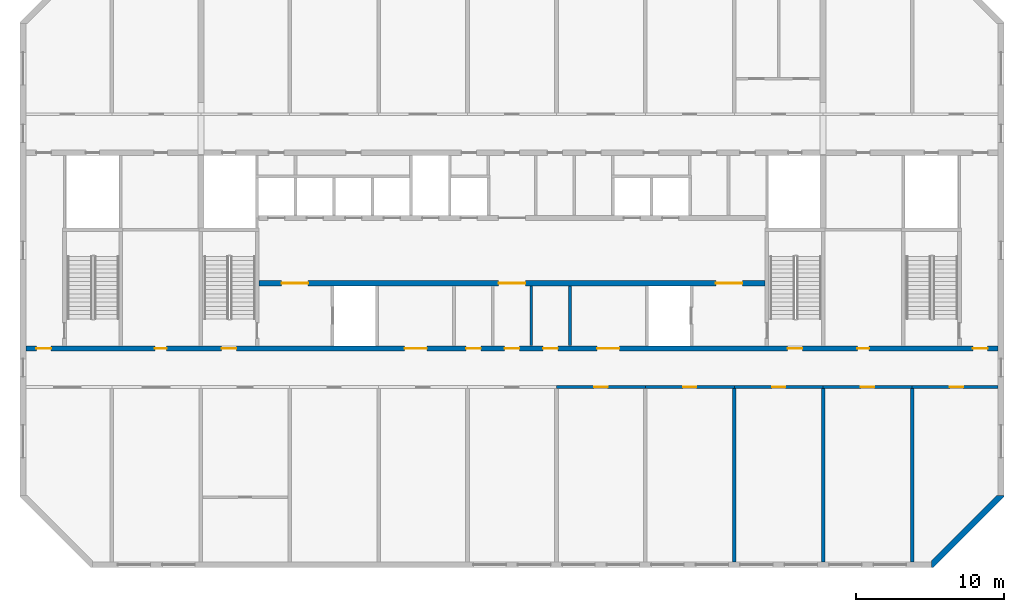
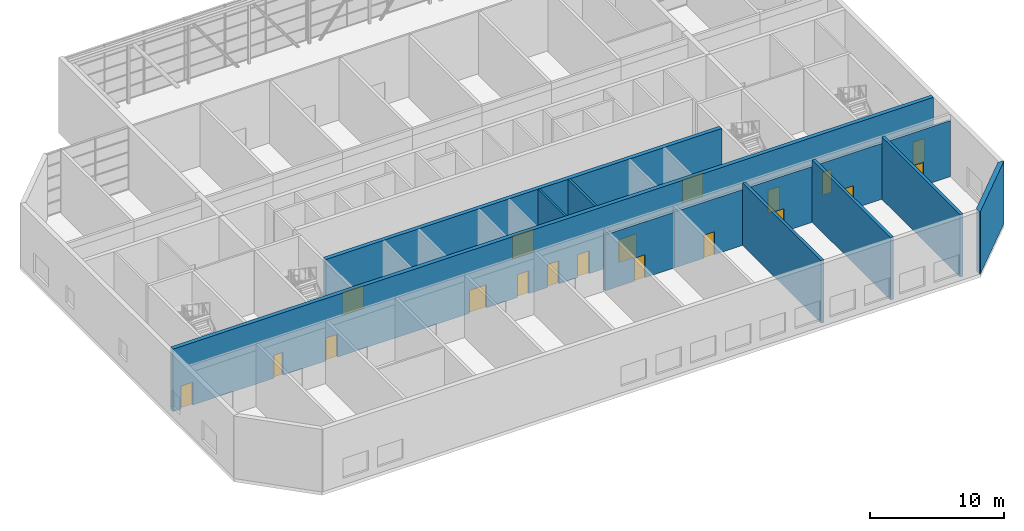
# One storey, part 12 of 17: 19 doors, 13 walls, 19 openings.
"""IFC4 building model written with IfcOpenShell, lengths in metres."""

from ifc_helpers import new_model, si_unit, direction, frame, frame_2d, origin, place, context, subcontext, project, spatial, polyline, rectangle, outline, extrude, material, layer, layer_set, type_object, element, fill, save


model = new_model("IFC4")

# Units and contexts
model_context = context("Model", 3, precision=1e-05, world=origin(), true_north=direction((0.0, 1.0)))
body_context = subcontext(model_context, "Body", "Model", "MODEL_VIEW")
ifc_project = project(units=[si_unit("LENGTHUNIT", "METRE"), si_unit("AREAUNIT", "SQUARE_METRE"), si_unit("VOLUMEUNIT", "CUBIC_METRE"), si_unit("PLANEANGLEUNIT", "RADIAN"), si_unit("MASSUNIT", "GRAM", prefix="KILO")], contexts=[model_context])

# Site, building, storey
site_placement = place(None, origin())
site = spatial("IfcSite", under=ifc_project, at=site_placement, CompositionType="ELEMENT")
building_placement = place(site_placement, origin())
building = spatial("IfcBuilding", under=site, at=building_placement, Name="Poui Terraces", CompositionType="ELEMENT")
storey_placement = place(building_placement, frame((0.0, 0.0, 261.0)))
storey = spatial("IfcBuildingStorey", under=building, at=storey_placement, Name="L73", CompositionType="ELEMENT", Elevation=261.0)

# Wall, openings, doors
ifc_material_1 = material(Name="Concrete 50 MPa", Category="concrete")
ifc_layer_1 = layer(ifc_material_1, 0.35009765625)
ifc_layer_set_1 = layer_set([ifc_layer_1], Name="Concrete 50 MPa")
wall_type_1 = type_object("IfcWallType", Name="CORE WALL 350 50 MPA", PredefinedType="SOLIDWALL", material=ifc_layer_set_1)
wall_1_placement = place(storey_placement, frame((33.925048828125, 19.0, 0.0), z_axis=(0.0, 0.0, 1.0), x_axis=(1.0, 0.0, 0.0)))
wall_1 = element("IfcWall", 1, at=wall_1_placement, inside=storey, type_object=wall_type_1, Name="CORE WALL", PredefinedType="SOLIDWALL", context=body_context, shape_type="SweptSolid", body=[
    extrude(rectangle(XDim=34.14990234375, YDim=0.35009765625, at=frame_2d((17.074951171875, 0.0))), origin(), (0.0, 0.0, 1.0), 5.699951171875),
])
opening_1_placement = place(wall_1_placement, frame((16.175048828125, 0.0, 0.0)))
opening_1 = element("IfcOpeningElement", 2, at=opening_1_placement, cuts=wall_1, Name="Opening FDD60", PredefinedType="OPENING", context=body_context, shape_type="SweptSolid", body=[
    extrude(rectangle(XDim=1.800048828125, YDim=2.10009765625, at=frame_2d((0.89990234375, 1.050048828125))), frame((0.0, 0.18505859375, 0.0), z_axis=(0.0, -1.0, 0.0), x_axis=(1.0, 0.0, 0.0)), (0.0, 0.0, 1.0), 0.3701171875),
])
opening_2_placement = place(wall_1_placement, frame((1.52490234375, 0.0, 0.0)))
opening_2 = element("IfcOpeningElement", 3, at=opening_2_placement, cuts=wall_1, Name="Opening FDD60", PredefinedType="OPENING", context=body_context, shape_type="SweptSolid", body=[
    extrude(rectangle(XDim=1.800048828125, YDim=2.10009765625, at=frame_2d((0.89990234375, 1.050048828125))), frame((0.0, 0.18505859375, 0.0), z_axis=(0.0, -1.0, 0.0), x_axis=(1.0, 0.0, 0.0)), (0.0, 0.0, 1.0), 0.3701171875),
])
opening_3_placement = place(wall_1_placement, frame((30.824951171875, 0.0, 0.0)))
opening_3 = element("IfcOpeningElement", 4, at=opening_3_placement, cuts=wall_1, Name="Opening FDD60", PredefinedType="OPENING", context=body_context, shape_type="SweptSolid", body=[
    extrude(rectangle(XDim=1.800048828125, YDim=2.10009765625, at=frame_2d((0.89990234375, 1.050048828125))), frame((0.0, 0.18505859375, 0.0), z_axis=(0.0, -1.0, 0.0), x_axis=(1.0, 0.0, 0.0)), (0.0, 0.0, 1.0), 0.3701171875),
])
ifc_material_2 = material(Name="Steel fire door", Category="steel")
door_type_1 = type_object("IfcDoorType", Name="DOUBLE LOBBY FIRE DOOR 1800 X 2100", OperationType="DOUBLE_DOOR_SINGLE_SWING", PredefinedType="DOOR", material=ifc_material_2)
door_1_placement = place(opening_1_placement, frame((1.800048828125, 0.0, 0.0), z_axis=(0.0, 0.0, 1.0), x_axis=(-1.0, 0.0, 0.0)))
door_1 = element("IfcDoor", 5, at=door_1_placement, inside=storey, type_object=door_type_1, Name="DOUBLE LOBBY FIRE DOOR 062", OperationType="DOUBLE_DOOR_SINGLE_SWING", OverallHeight=2.10009765625, OverallWidth=1.800048828125, PredefinedType="DOOR", context=body_context, shape_type="SweptSolid", body=[
    extrude(rectangle(XDim=1.800048828125, YDim=2.10009765625, at=frame_2d((0.89990234375, 1.050048828125))), frame((0.0, 0.02490234375, 0.0), z_axis=(0.0, -1.0, 0.0), x_axis=(1.0, 0.0, 0.0)), (0.0, 0.0, 1.0), 0.050048828125),
])
fill(opening_1, door_1)
door_2_placement = place(opening_2_placement, origin())
door_2 = element("IfcDoor", 6, at=door_2_placement, inside=storey, type_object=door_type_1, Name="DOUBLE LOBBY FIRE DOOR 064", OperationType="DOUBLE_DOOR_SINGLE_SWING", OverallHeight=2.10009765625, OverallWidth=1.800048828125, PredefinedType="DOOR", context=body_context, shape_type="SweptSolid", body=[
    extrude(rectangle(XDim=1.800048828125, YDim=2.10009765625, at=frame_2d((0.89990234375, 1.050048828125))), frame((0.0, 0.02490234375, 0.0), z_axis=(0.0, -1.0, 0.0), x_axis=(1.0, 0.0, 0.0)), (0.0, 0.0, 1.0), 0.050048828125),
])
fill(opening_2, door_2)
door_3_placement = place(opening_3_placement, origin())
door_3 = element("IfcDoor", 7, at=door_3_placement, inside=storey, type_object=door_type_1, Name="DOUBLE LOBBY FIRE DOOR 072", OperationType="DOUBLE_DOOR_SINGLE_SWING", OverallHeight=2.10009765625, OverallWidth=1.800048828125, PredefinedType="DOOR", context=body_context, shape_type="SweptSolid", body=[
    extrude(rectangle(XDim=1.800048828125, YDim=2.10009765625, at=frame_2d((0.89990234375, 1.050048828125))), frame((0.0, 0.02490234375, 0.0), z_axis=(0.0, -1.0, 0.0), x_axis=(1.0, 0.0, 0.0)), (0.0, 0.0, 1.0), 0.050048828125),
])
fill(opening_3, door_3)

# Wall
ifc_material_3 = material(Name="Fire-rated plasterboard wall")
ifc_layer_2 = layer(ifc_material_3, 0.14990234375)
ifc_layer_set_2 = layer_set([ifc_layer_2], Name="Fire-rated plasterboard wall")
wall_type_2 = type_object("IfcWallType", Name="CORRIDOR WALL 150", PredefinedType="PARTITIONING", material=ifc_layer_set_2)
wall_2_placement = place(storey_placement, frame((52.300048828125, 14.784912109375, 0.0), z_axis=(0.0, 0.0, 1.0), x_axis=(0.0, 1.0, 0.0)))
element("IfcWall", 8, at=wall_2_placement, inside=storey, type_object=wall_type_2, Name="CORRIDOR WALL 150", PredefinedType="PARTITIONING", context=body_context, shape_type="SweptSolid", body=[
    extrude(rectangle(XDim=4.030029296875, YDim=0.14990234375, at=frame_2d((2.01513671875, 0.0))), origin(), (0.0, 0.0, 1.0), 5.699951171875),
])

# Wall, opening, door
ifc_layer_3 = layer(ifc_material_1, 0.199951171875)
ifc_layer_set_3 = layer_set([ifc_layer_3], Name="Concrete 50 MPa")
wall_type_3 = type_object("IfcWallType", Name="CORRIDOR WALL 200 50MPa", PredefinedType="SHEAR", material=ifc_layer_set_3)
wall_3_placement = place(storey_placement, frame((54.0, 12.0, 0.0), z_axis=(0.0, 0.0, 1.0), x_axis=(1.0, 0.0, 0.0)))
wall_3 = element("IfcWall", 9, at=wall_3_placement, inside=storey, type_object=wall_type_3, Name="CORRIDOR WALL LINE B BAY 7", PredefinedType="SHEAR", context=body_context, shape_type="SweptSolid", body=[
    extrude(rectangle(XDim=6.0, YDim=0.199951171875, at=frame_2d((3.0, 0.0))), origin(), (0.0, 0.0, 1.0), 5.10009765625),
])
opening_4_placement = place(wall_3_placement, frame((2.550048828125, 0.0, 0.0)))
opening_4 = element("IfcOpeningElement", 10, at=opening_4_placement, cuts=wall_3, Name="Opening D90", PredefinedType="OPENING", context=body_context, shape_type="SweptSolid", body=[
    extrude(rectangle(XDim=0.89990234375, YDim=2.10009765625, at=frame_2d((0.449951171875, 1.050048828125))), frame((0.0, 0.10986328125, 0.0), z_axis=(0.0, -1.0, 0.0), x_axis=(1.0, 0.0, 0.0)), (0.0, 0.0, 1.0), 0.219970703125),
])
ifc_material_4 = material(Name="Solid core timber door", Category="wood")
door_type_2 = type_object("IfcDoorType", Name="INTERNAL DOOR 900 X 2100", OperationType="NOTDEFINED", PredefinedType="DOOR", material=ifc_material_4)
door_4_placement = place(opening_4_placement, origin())
door_4 = element("IfcDoor", 11, at=door_4_placement, inside=storey, type_object=door_type_2, Name="INTERNAL DOOR 042", OperationType="SINGLE_SWING_RIGHT", OverallHeight=2.10009765625, OverallWidth=0.89990234375, PredefinedType="DOOR", context=body_context, shape_type="SweptSolid", body=[
    extrude(rectangle(XDim=0.89990234375, YDim=2.10009765625, at=frame_2d((0.449951171875, 1.050048828125))), frame((0.0, 0.02490234375, 0.0), z_axis=(0.0, -1.0, 0.0), x_axis=(1.0, 0.0, 0.0)), (0.0, 0.0, 1.0), 0.050048828125),
])
fill(opening_4, door_4)

wall_4_placement = place(storey_placement, frame((60.0, 12.0, 0.0), z_axis=(0.0, 0.0, 1.0), x_axis=(1.0, 0.0, 0.0)))
wall_4 = element("IfcWall", 12, at=wall_4_placement, inside=storey, type_object=wall_type_3, Name="CORRIDOR WALL LINE B BAY 8", PredefinedType="SHEAR", context=body_context, shape_type="SweptSolid", body=[
    extrude(rectangle(XDim=6.0, YDim=0.199951171875, at=frame_2d((3.0, 0.0))), origin(), (0.0, 0.0, 1.0), 5.10009765625),
])
opening_5_placement = place(wall_4_placement, frame((2.550048828125, 0.0, 0.0)))
opening_5 = element("IfcOpeningElement", 13, at=opening_5_placement, cuts=wall_4, Name="Opening D90", PredefinedType="OPENING", context=body_context, shape_type="SweptSolid", body=[
    extrude(rectangle(XDim=0.89990234375, YDim=2.10009765625, at=frame_2d((0.449951171875, 1.050048828125))), frame((0.0, 0.10986328125, 0.0), z_axis=(0.0, -1.0, 0.0), x_axis=(1.0, 0.0, 0.0)), (0.0, 0.0, 1.0), 0.219970703125),
])
door_5_placement = place(opening_5_placement, origin())
door_5 = element("IfcDoor", 14, at=door_5_placement, inside=storey, type_object=door_type_2, Name="INTERNAL DOOR 044", OperationType="SINGLE_SWING_LEFT", OverallHeight=2.10009765625, OverallWidth=0.89990234375, PredefinedType="DOOR", context=body_context, shape_type="SweptSolid", body=[
    extrude(rectangle(XDim=0.89990234375, YDim=2.10009765625, at=frame_2d((0.449951171875, 1.050048828125))), frame((0.0, 0.02490234375, 0.0), z_axis=(0.0, -1.0, 0.0), x_axis=(1.0, 0.0, 0.0)), (0.0, 0.0, 1.0), 0.050048828125),
])
fill(opening_5, door_5)

wall_5_placement = place(storey_placement, frame((66.0, 12.0, 0.0), z_axis=(0.0, 0.0, 1.0), x_axis=(1.0, 0.0, 0.0)))
wall_5 = element("IfcWall", 15, at=wall_5_placement, inside=storey, type_object=wall_type_3, Name="CORRIDOR WALL LINE B BAY 9", PredefinedType="SHEAR", context=body_context, shape_type="SweptSolid", body=[
    extrude(rectangle(XDim=6.0, YDim=0.199951171875, at=frame_2d((3.0, 0.0))), origin(), (0.0, 0.0, 1.0), 5.10009765625),
])
opening_6_placement = place(wall_5_placement, frame((2.550048828125, 0.0, 0.0)))
opening_6 = element("IfcOpeningElement", 16, at=opening_6_placement, cuts=wall_5, Name="Opening D90", PredefinedType="OPENING", context=body_context, shape_type="SweptSolid", body=[
    extrude(rectangle(XDim=0.89990234375, YDim=2.10009765625, at=frame_2d((0.449951171875, 1.050048828125))), frame((0.0, 0.10986328125, 0.0), z_axis=(0.0, -1.0, 0.0), x_axis=(1.0, 0.0, 0.0)), (0.0, 0.0, 1.0), 0.219970703125),
])
door_6_placement = place(opening_6_placement, origin())
door_6 = element("IfcDoor", 17, at=door_6_placement, inside=storey, type_object=door_type_2, Name="INTERNAL DOOR 045", OperationType="SINGLE_SWING_RIGHT", OverallHeight=2.10009765625, OverallWidth=0.89990234375, PredefinedType="DOOR", context=body_context, shape_type="SweptSolid", body=[
    extrude(rectangle(XDim=0.89990234375, YDim=2.10009765625, at=frame_2d((0.449951171875, 1.050048828125))), frame((0.0, 0.02490234375, 0.0), z_axis=(0.0, -1.0, 0.0), x_axis=(1.0, 0.0, 0.0)), (0.0, 0.0, 1.0), 0.050048828125),
])
fill(opening_6, door_6)

wall_6_placement = place(storey_placement, frame((72.0, 12.0, 0.0), z_axis=(0.0, 0.0, 1.0), x_axis=(1.0, 0.0, 0.0)))
wall_6 = element("IfcWall", 18, at=wall_6_placement, inside=storey, type_object=wall_type_3, Name="CORRIDOR WALL LINE B BAY 10", PredefinedType="SHEAR", context=body_context, shape_type="SweptSolid", body=[
    extrude(rectangle(XDim=6.0, YDim=0.199951171875, at=frame_2d((3.0, 0.0))), origin(), (0.0, 0.0, 1.0), 5.10009765625),
])
opening_7_placement = place(wall_6_placement, frame((2.550048828125, 0.0, 0.0)))
opening_7 = element("IfcOpeningElement", 19, at=opening_7_placement, cuts=wall_6, Name="Opening D90", PredefinedType="OPENING", context=body_context, shape_type="SweptSolid", body=[
    extrude(rectangle(XDim=0.89990234375, YDim=2.10009765625, at=frame_2d((0.449951171875, 1.050048828125))), frame((0.0, 0.10986328125, 0.0), z_axis=(0.0, -1.0, 0.0), x_axis=(1.0, 0.0, 0.0)), (0.0, 0.0, 1.0), 0.219970703125),
])
door_7_placement = place(opening_7_placement, origin())
door_7 = element("IfcDoor", 20, at=door_7_placement, inside=storey, type_object=door_type_2, Name="INTERNAL DOOR 048", OperationType="SINGLE_SWING_LEFT", OverallHeight=2.10009765625, OverallWidth=0.89990234375, PredefinedType="DOOR", context=body_context, shape_type="SweptSolid", body=[
    extrude(rectangle(XDim=0.89990234375, YDim=2.10009765625, at=frame_2d((0.449951171875, 1.050048828125))), frame((0.0, 0.02490234375, 0.0), z_axis=(0.0, -1.0, 0.0), x_axis=(1.0, 0.0, 0.0)), (0.0, 0.0, 1.0), 0.050048828125),
])
fill(opening_7, door_7)

wall_7_placement = place(storey_placement, frame((78.0, 12.0, 0.0), z_axis=(0.0, 0.0, 1.0), x_axis=(1.0, 0.0, 0.0)))
wall_7 = element("IfcWall", 21, at=wall_7_placement, inside=storey, type_object=wall_type_3, Name="CORRIDOR WALL LINE B BAY 11", PredefinedType="SHEAR", context=body_context, shape_type="SweptSolid", body=[
    extrude(rectangle(XDim=5.800048828125, YDim=0.199951171875, at=frame_2d((2.89990234375, 0.0))), origin(), (0.0, 0.0, 1.0), 5.10009765625),
])
opening_8_placement = place(wall_7_placement, frame((2.550048828125, 0.0, 0.0)))
opening_8 = element("IfcOpeningElement", 22, at=opening_8_placement, cuts=wall_7, Name="Opening D90", PredefinedType="OPENING", context=body_context, shape_type="SweptSolid", body=[
    extrude(rectangle(XDim=0.89990234375, YDim=2.10009765625, at=frame_2d((0.449951171875, 1.050048828125))), frame((0.0, 0.10986328125, 0.0), z_axis=(0.0, -1.0, 0.0), x_axis=(1.0, 0.0, 0.0)), (0.0, 0.0, 1.0), 0.219970703125),
])
door_8_placement = place(opening_8_placement, origin())
door_8 = element("IfcDoor", 23, at=door_8_placement, inside=storey, type_object=door_type_2, Name="INTERNAL DOOR 049", OperationType="SINGLE_SWING_RIGHT", OverallHeight=2.10009765625, OverallWidth=0.89990234375, PredefinedType="DOOR", context=body_context, shape_type="SweptSolid", body=[
    extrude(rectangle(XDim=0.89990234375, YDim=2.10009765625, at=frame_2d((0.449951171875, 1.050048828125))), frame((0.0, 0.02490234375, 0.0), z_axis=(0.0, -1.0, 0.0), x_axis=(1.0, 0.0, 0.0)), (0.0, 0.0, 1.0), 0.050048828125),
])
fill(opening_8, door_8)

# Walls
ifc_layer_4 = layer(ifc_material_1, 0.25)
ifc_layer_set_4 = layer_set([ifc_layer_4], Name="Concrete 50 MPa")
wall_type_4 = type_object("IfcWallType", Name="CROSS WALL 250 50MPa", PredefinedType="SHEAR", material=ifc_layer_set_4)
for number, where, z_axis, x_axis, name in (
    (24, (66.0, 0.199951171875, 0.0), (0.0, 0.0, 1.0), (0.0, 1.0, 0.0), "CROSS WALL LINE 12 SOUTH"),
    (25, (72.0, 0.199951171875, 0.0), (0.0, 0.0, 1.0), (0.0, 1.0, 0.0), "CROSS WALL LINE 13 SOUTH"),
    (26, (78.0, 0.199951171875, 0.0), (0.0, 0.0, 1.0), (0.0, 1.0, 0.0), "CROSS WALL LINE 14 SOUTH"),
):
    element("IfcWall", number, at=place(storey_placement, frame(where, z_axis=z_axis, x_axis=x_axis)), inside=storey, type_object=wall_type_4, Name=name, PredefinedType="SHEAR", context=body_context, shape_type="SweptSolid", body=[
        extrude(rectangle(XDim=11.699951171875, YDim=0.25, at=frame_2d((5.85009765625, 0.0))), origin(), (0.0, 0.0, 1.0), 5.699951171875),
    ])
ifc_material_5 = material(Name="Fire-rated masonry wall", Category="masonry")
ifc_layer_5 = layer(ifc_material_5, 0.199951171875)
ifc_layer_set_5 = layer_set([ifc_layer_5], Name="Fire-rated masonry wall")
wall_type_5 = type_object("IfcWallType", Name="PLANT ROOM WALL 200", PredefinedType="PARTITIONING", material=ifc_layer_set_5)
wall_8_placement = place(storey_placement, frame((54.89990234375, 14.784912109375, 0.0), z_axis=(0.0, 0.0, 1.0), x_axis=(0.0, 1.0, 0.0)))
element("IfcWall", 27, at=wall_8_placement, inside=storey, type_object=wall_type_5, Name="PLANT ROOM WALL 200", PredefinedType="PARTITIONING", context=body_context, shape_type="SweptSolid", body=[
    extrude(rectangle(XDim=4.030029296875, YDim=0.199951171875, at=frame_2d((2.01513671875, 0.0))), origin(), (0.0, 0.0, 1.0), 5.699951171875),
])

# Wall, openings, doors
ifc_layer_6 = layer(ifc_material_1, 0.35009765625)
ifc_layer_set_6 = layer_set([ifc_layer_6], Name="Concrete 50 MPa")
wall_type_6 = type_object("IfcWallType", Name="SPINE WALL 350 50 MPA", PredefinedType="SOLIDWALL", material=ifc_layer_set_6)
wall_9_placement = place(storey_placement, frame((18.199951171875, 14.60009765625, 0.0), z_axis=(0.0, 0.0, 1.0), x_axis=(1.0, 0.0, 0.0)))
wall_9 = element("IfcWall", 28, at=wall_9_placement, inside=storey, type_object=wall_type_6, Name="SPINE WALL", PredefinedType="SOLIDWALL", context=body_context, shape_type="SweptSolid", body=[
    extrude(rectangle(XDim=65.60009765625, YDim=0.35009765625, at=frame_2d((32.800048828125, 0.0))), origin(), (0.0, 0.0, 1.0), 5.699951171875),
])
opening_9_placement = place(wall_9_placement, frame((0.699951171875, 0.0, 0.0)))
opening_9 = element("IfcOpeningElement", 29, at=opening_9_placement, cuts=wall_9, Name="Opening FDL", PredefinedType="OPENING", context=body_context, shape_type="SweptSolid", body=[
    extrude(rectangle(XDim=1.0, YDim=2.10009765625, at=frame_2d((0.5, 1.050048828125))), frame((0.0, 0.18505859375, 0.0), z_axis=(0.0, -1.0, 0.0), x_axis=(1.0, 0.0, 0.0)), (0.0, 0.0, 1.0), 0.3701171875),
])
opening_10_placement = place(wall_9_placement, frame((8.699951171875, 0.0, 0.0)))
opening_10 = element("IfcOpeningElement", 30, at=opening_10_placement, cuts=wall_9, Name="Opening D80", PredefinedType="OPENING", context=body_context, shape_type="SweptSolid", body=[
    extrude(rectangle(XDim=0.800048828125, YDim=2.10009765625, at=frame_2d((0.39990234375, 1.050048828125))), frame((0.0, 0.18505859375, 0.0), z_axis=(0.0, -1.0, 0.0), x_axis=(1.0, 0.0, 0.0)), (0.0, 0.0, 1.0), 0.3701171875),
])
opening_11_placement = place(wall_9_placement, frame((13.199951171875, 0.0, 0.0)))
opening_11 = element("IfcOpeningElement", 31, at=opening_11_placement, cuts=wall_9, Name="Opening FD60S", PredefinedType="OPENING", context=body_context, shape_type="SweptSolid", body=[
    extrude(rectangle(XDim=1.0, YDim=2.10009765625, at=frame_2d((0.5, 1.050048828125))), frame((0.0, 0.18505859375, 0.0), z_axis=(0.0, -1.0, 0.0), x_axis=(1.0, 0.0, 0.0)), (0.0, 0.0, 1.0), 0.3701171875),
])
opening_12_placement = place(wall_9_placement, frame((25.550048828125, 0.0, 0.0)))
opening_12 = element("IfcOpeningElement", 32, at=opening_12_placement, cuts=wall_9, Name="Opening FDP", PredefinedType="OPENING", context=body_context, shape_type="SweptSolid", body=[
    extrude(rectangle(XDim=1.5, YDim=2.10009765625, at=frame_2d((0.75, 1.050048828125))), frame((0.0, 0.18505859375, 0.0), z_axis=(0.0, -1.0, 0.0), x_axis=(1.0, 0.0, 0.0)), (0.0, 0.0, 1.0), 0.3701171875),
])
opening_13_placement = place(wall_9_placement, frame((29.699951171875, 0.0, 0.0)))
opening_13 = element("IfcOpeningElement", 33, at=opening_13_placement, cuts=wall_9, Name="Opening FD60", PredefinedType="OPENING", context=body_context, shape_type="SweptSolid", body=[
    extrude(rectangle(XDim=1.0, YDim=2.10009765625, at=frame_2d((0.5, 1.050048828125))), frame((0.0, 0.18505859375, 0.0), z_axis=(0.0, -1.0, 0.0), x_axis=(1.0, 0.0, 0.0)), (0.0, 0.0, 1.0), 0.3701171875),
])
opening_14_placement = place(wall_9_placement, frame((32.300048828125, 0.0, 0.0)))
opening_14 = element("IfcOpeningElement", 34, at=opening_14_placement, cuts=wall_9, Name="Opening FDL", PredefinedType="OPENING", context=body_context, shape_type="SweptSolid", body=[
    extrude(rectangle(XDim=1.0, YDim=2.10009765625, at=frame_2d((0.5, 1.050048828125))), frame((0.0, 0.18505859375, 0.0), z_axis=(0.0, -1.0, 0.0), x_axis=(1.0, 0.0, 0.0)), (0.0, 0.0, 1.0), 0.3701171875),
])
opening_15_placement = place(wall_9_placement, frame((34.89990234375, 0.0, 0.0)))
opening_15 = element("IfcOpeningElement", 35, at=opening_15_placement, cuts=wall_9, Name="Opening FD60", PredefinedType="OPENING", context=body_context, shape_type="SweptSolid", body=[
    extrude(rectangle(XDim=1.0, YDim=2.10009765625, at=frame_2d((0.5, 1.050048828125))), frame((0.0, 0.18505859375, 0.0), z_axis=(0.0, -1.0, 0.0), x_axis=(1.0, 0.0, 0.0)), (0.0, 0.0, 1.0), 0.3701171875),
])
opening_16_placement = place(wall_9_placement, frame((38.550048828125, 0.0, 0.0)))
opening_16 = element("IfcOpeningElement", 36, at=opening_16_placement, cuts=wall_9, Name="Opening FDP", PredefinedType="OPENING", context=body_context, shape_type="SweptSolid", body=[
    extrude(rectangle(XDim=1.5, YDim=2.10009765625, at=frame_2d((0.75, 1.050048828125))), frame((0.0, 0.18505859375, 0.0), z_axis=(0.0, -1.0, 0.0), x_axis=(1.0, 0.0, 0.0)), (0.0, 0.0, 1.0), 0.3701171875),
])
opening_17_placement = place(wall_9_placement, frame((51.39990234375, 0.0, 0.0)))
opening_17 = element("IfcOpeningElement", 37, at=opening_17_placement, cuts=wall_9, Name="Opening FD60S", PredefinedType="OPENING", context=body_context, shape_type="SweptSolid", body=[
    extrude(rectangle(XDim=1.0, YDim=2.10009765625, at=frame_2d((0.5, 1.050048828125))), frame((0.0, 0.18505859375, 0.0), z_axis=(0.0, -1.0, 0.0), x_axis=(1.0, 0.0, 0.0)), (0.0, 0.0, 1.0), 0.3701171875),
])
opening_18_placement = place(wall_9_placement, frame((56.10009765625, 0.0, 0.0)))
opening_18 = element("IfcOpeningElement", 38, at=opening_18_placement, cuts=wall_9, Name="Opening D80", PredefinedType="OPENING", context=body_context, shape_type="SweptSolid", body=[
    extrude(rectangle(XDim=0.800048828125, YDim=2.10009765625, at=frame_2d((0.39990234375, 1.050048828125))), frame((0.0, 0.18505859375, 0.0), z_axis=(0.0, -1.0, 0.0), x_axis=(1.0, 0.0, 0.0)), (0.0, 0.0, 1.0), 0.3701171875),
])
opening_19_placement = place(wall_9_placement, frame((63.89990234375, 0.0, 0.0)))
opening_19 = element("IfcOpeningElement", 39, at=opening_19_placement, cuts=wall_9, Name="Opening FDL", PredefinedType="OPENING", context=body_context, shape_type="SweptSolid", body=[
    extrude(rectangle(XDim=1.0, YDim=2.10009765625, at=frame_2d((0.5, 1.050048828125))), frame((0.0, 0.18505859375, 0.0), z_axis=(0.0, -1.0, 0.0), x_axis=(1.0, 0.0, 0.0)), (0.0, 0.0, 1.0), 0.3701171875),
])
door_type_3 = type_object("IfcDoorType", Name="BATHROOM, LAUNDRY AND STORE DOOR 800 X 2100", OperationType="NOTDEFINED", PredefinedType="DOOR", material=ifc_material_4)
door_9_placement = place(opening_10_placement, frame((0.800048828125, 0.0, 0.0), z_axis=(0.0, 0.0, 1.0), x_axis=(-1.0, 0.0, 0.0)))
door_9 = element("IfcDoor", 40, at=door_9_placement, inside=storey, type_object=door_type_3, Name="BATHROOM, LAUNDRY AND STORE DOOR 032", OperationType="SINGLE_SWING_RIGHT", OverallHeight=2.10009765625, OverallWidth=0.800048828125, PredefinedType="DOOR", context=body_context, shape_type="SweptSolid", body=[
    extrude(rectangle(XDim=0.800048828125, YDim=2.10009765625, at=frame_2d((0.39990234375, 1.050048828125))), frame((0.0, 0.02490234375, 0.0), z_axis=(0.0, -1.0, 0.0), x_axis=(1.0, 0.0, 0.0)), (0.0, 0.0, 1.0), 0.050048828125),
])
fill(opening_10, door_9)
door_10_placement = place(opening_18_placement, frame((0.800048828125, 0.0, 0.0), z_axis=(0.0, 0.0, 1.0), x_axis=(-1.0, 0.0, 0.0)))
door_10 = element("IfcDoor", 41, at=door_10_placement, inside=storey, type_object=door_type_3, Name="BATHROOM, LAUNDRY AND STORE DOOR 047", OperationType="SINGLE_SWING_RIGHT", OverallHeight=2.10009765625, OverallWidth=0.800048828125, PredefinedType="DOOR", context=body_context, shape_type="SweptSolid", body=[
    extrude(rectangle(XDim=0.800048828125, YDim=2.10009765625, at=frame_2d((0.39990234375, 1.050048828125))), frame((0.0, 0.02490234375, 0.0), z_axis=(0.0, -1.0, 0.0), x_axis=(1.0, 0.0, 0.0)), (0.0, 0.0, 1.0), 0.050048828125),
])
fill(opening_18, door_10)
door_type_4 = type_object("IfcDoorType", Name="LOBBY FIRE DOOR 1000 X 2100", OperationType="NOTDEFINED", PredefinedType="DOOR", material=ifc_material_2)
door_11_placement = place(opening_9_placement, frame((1.0, 0.0, 0.0), z_axis=(0.0, 0.0, 1.0), x_axis=(-1.0, 0.0, 0.0)))
door_11 = element("IfcDoor", 42, at=door_11_placement, inside=storey, type_object=door_type_4, Name="LOBBY FIRE DOOR 029", OperationType="SINGLE_SWING_LEFT", OverallHeight=2.10009765625, OverallWidth=1.0, PredefinedType="DOOR", context=body_context, shape_type="SweptSolid", body=[
    extrude(rectangle(XDim=1.0, YDim=2.10009765625, at=frame_2d((0.5, 1.050048828125))), frame((0.0, 0.02490234375, 0.0), z_axis=(0.0, -1.0, 0.0), x_axis=(1.0, 0.0, 0.0)), (0.0, 0.0, 1.0), 0.050048828125),
])
fill(opening_9, door_11)
door_12_placement = place(opening_14_placement, frame((1.0, 0.0, 0.0), z_axis=(0.0, 0.0, 1.0), x_axis=(-1.0, 0.0, 0.0)))
door_12 = element("IfcDoor", 43, at=door_12_placement, inside=storey, type_object=door_type_4, Name="LOBBY FIRE DOOR 040", OperationType="SINGLE_SWING_RIGHT", OverallHeight=2.10009765625, OverallWidth=1.0, PredefinedType="DOOR", context=body_context, shape_type="SweptSolid", body=[
    extrude(rectangle(XDim=1.0, YDim=2.10009765625, at=frame_2d((0.5, 1.050048828125))), frame((0.0, 0.02490234375, 0.0), z_axis=(0.0, -1.0, 0.0), x_axis=(1.0, 0.0, 0.0)), (0.0, 0.0, 1.0), 0.050048828125),
])
fill(opening_14, door_12)
door_13_placement = place(opening_19_placement, frame((1.0, 0.0, 0.0), z_axis=(0.0, 0.0, 1.0), x_axis=(-1.0, 0.0, 0.0)))
door_13 = element("IfcDoor", 44, at=door_13_placement, inside=storey, type_object=door_type_4, Name="LOBBY FIRE DOOR 050", OperationType="SINGLE_SWING_RIGHT", OverallHeight=2.10009765625, OverallWidth=1.0, PredefinedType="DOOR", context=body_context, shape_type="SweptSolid", body=[
    extrude(rectangle(XDim=1.0, YDim=2.10009765625, at=frame_2d((0.5, 1.050048828125))), frame((0.0, 0.02490234375, 0.0), z_axis=(0.0, -1.0, 0.0), x_axis=(1.0, 0.0, 0.0)), (0.0, 0.0, 1.0), 0.050048828125),
])
fill(opening_19, door_13)
door_type_5 = type_object("IfcDoorType", Name="PLANT ROOM DOOR PAIR 1500 X 2100", OperationType="DOUBLE_DOOR_SINGLE_SWING", PredefinedType="DOOR", material=ifc_material_2)
door_14_placement = place(opening_12_placement, frame((1.5, 0.0, 0.0), z_axis=(0.0, 0.0, 1.0), x_axis=(-1.0, 0.0, 0.0)))
door_14 = element("IfcDoor", 45, at=door_14_placement, inside=storey, type_object=door_type_5, Name="PLANT ROOM DOOR PAIR 036", OperationType="DOUBLE_DOOR_SINGLE_SWING", OverallHeight=2.10009765625, OverallWidth=1.5, PredefinedType="DOOR", context=body_context, shape_type="SweptSolid", body=[
    extrude(rectangle(XDim=1.5, YDim=2.10009765625, at=frame_2d((0.75, 1.050048828125))), frame((0.0, 0.02490234375, 0.0), z_axis=(0.0, -1.0, 0.0), x_axis=(1.0, 0.0, 0.0)), (0.0, 0.0, 1.0), 0.050048828125),
])
fill(opening_12, door_14)
door_15_placement = place(opening_16_placement, frame((1.5, 0.0, 0.0), z_axis=(0.0, 0.0, 1.0), x_axis=(-1.0, 0.0, 0.0)))
door_15 = element("IfcDoor", 46, at=door_15_placement, inside=storey, type_object=door_type_5, Name="PLANT ROOM DOOR PAIR 043", OperationType="DOUBLE_DOOR_SINGLE_SWING", OverallHeight=2.10009765625, OverallWidth=1.5, PredefinedType="DOOR", context=body_context, shape_type="SweptSolid", body=[
    extrude(rectangle(XDim=1.5, YDim=2.10009765625, at=frame_2d((0.75, 1.050048828125))), frame((0.0, 0.02490234375, 0.0), z_axis=(0.0, -1.0, 0.0), x_axis=(1.0, 0.0, 0.0)), (0.0, 0.0, 1.0), 0.050048828125),
])
fill(opening_16, door_15)
door_type_6 = type_object("IfcDoorType", Name="SERVICE ROOM FIRE DOOR 1000 X 2100", OperationType="NOTDEFINED", PredefinedType="DOOR", material=ifc_material_2)
door_16_placement = place(opening_13_placement, frame((1.0, 0.0, 0.0), z_axis=(0.0, 0.0, 1.0), x_axis=(-1.0, 0.0, 0.0)))
door_16 = element("IfcDoor", 47, at=door_16_placement, inside=storey, type_object=door_type_6, Name="SERVICE ROOM FIRE DOOR 038", OperationType="SINGLE_SWING_LEFT", OverallHeight=2.10009765625, OverallWidth=1.0, PredefinedType="DOOR", context=body_context, shape_type="SweptSolid", body=[
    extrude(rectangle(XDim=1.0, YDim=2.10009765625, at=frame_2d((0.5, 1.050048828125))), frame((0.0, 0.02490234375, 0.0), z_axis=(0.0, -1.0, 0.0), x_axis=(1.0, 0.0, 0.0)), (0.0, 0.0, 1.0), 0.050048828125),
])
fill(opening_13, door_16)
door_17_placement = place(opening_15_placement, frame((1.0, 0.0, 0.0), z_axis=(0.0, 0.0, 1.0), x_axis=(-1.0, 0.0, 0.0)))
door_17 = element("IfcDoor", 48, at=door_17_placement, inside=storey, type_object=door_type_6, Name="SERVICE ROOM FIRE DOOR 041", OperationType="SINGLE_SWING_RIGHT", OverallHeight=2.10009765625, OverallWidth=1.0, PredefinedType="DOOR", context=body_context, shape_type="SweptSolid", body=[
    extrude(rectangle(XDim=1.0, YDim=2.10009765625, at=frame_2d((0.5, 1.050048828125))), frame((0.0, 0.02490234375, 0.0), z_axis=(0.0, -1.0, 0.0), x_axis=(1.0, 0.0, 0.0)), (0.0, 0.0, 1.0), 0.050048828125),
])
fill(opening_15, door_17)
door_type_7 = type_object("IfcDoorType", Name="STAIR DOOR 1000 X 2100", OperationType="NOTDEFINED", PredefinedType="DOOR", material=ifc_material_2)
door_18_placement = place(opening_11_placement, origin())
door_18 = element("IfcDoor", 49, at=door_18_placement, inside=storey, type_object=door_type_7, Name="STAIR DOOR 033", OperationType="SINGLE_SWING_LEFT", OverallHeight=2.10009765625, OverallWidth=1.0, PredefinedType="DOOR", context=body_context, shape_type="SweptSolid", body=[
    extrude(rectangle(XDim=1.0, YDim=2.10009765625, at=frame_2d((0.5, 1.050048828125))), frame((0.0, 0.02490234375, 0.0), z_axis=(0.0, -1.0, 0.0), x_axis=(1.0, 0.0, 0.0)), (0.0, 0.0, 1.0), 0.050048828125),
])
fill(opening_11, door_18)
door_19_placement = place(opening_17_placement, origin())
door_19 = element("IfcDoor", 50, at=door_19_placement, inside=storey, type_object=door_type_7, Name="STAIR DOOR 046", OperationType="SINGLE_SWING_LEFT", OverallHeight=2.10009765625, OverallWidth=1.0, PredefinedType="DOOR", context=body_context, shape_type="SweptSolid", body=[
    extrude(rectangle(XDim=1.0, YDim=2.10009765625, at=frame_2d((0.5, 1.050048828125))), frame((0.0, 0.02490234375, 0.0), z_axis=(0.0, -1.0, 0.0), x_axis=(1.0, 0.0, 0.0)), (0.0, 0.0, 1.0), 0.050048828125),
])
fill(opening_17, door_19)

# Wall
ifc_material_6 = material(Name="Precast concrete 40 MPa", Category="concrete")
ifc_layer_7 = layer(ifc_material_6, 0.39990234375)
ifc_layer_set_7 = layer_set([ifc_layer_7], Name="Precast concrete 40 MPa")
wall_type_7 = type_object("IfcWallType", Name="TERRACOTTA CLAD CHAMFER WALL 400", PredefinedType="STANDARD", material=ifc_layer_set_7)
wall_10_placement = place(storey_placement, origin())
element("IfcWall", 51, at=wall_10_placement, inside=storey, type_object=wall_type_7, Name="CHAMFER WALL CH01", PredefinedType="STANDARD", context=body_context, shape_type="SweptSolid", body=[
    extrude(outline(polyline([(79.317138671875, -0.199951171875), (79.39990234375, -0.199951171875), (84.199951171875, 4.60009765625), (84.199951171875, 4.682861328125), (83.71728515625, 4.682861328125), (79.317138671875, 0.28271484375), (79.317138671875, -0.199951171875)])), origin(), (0.0, 0.0, 1.0), 5.699951171875),
])

save(model, "model.ifc")
